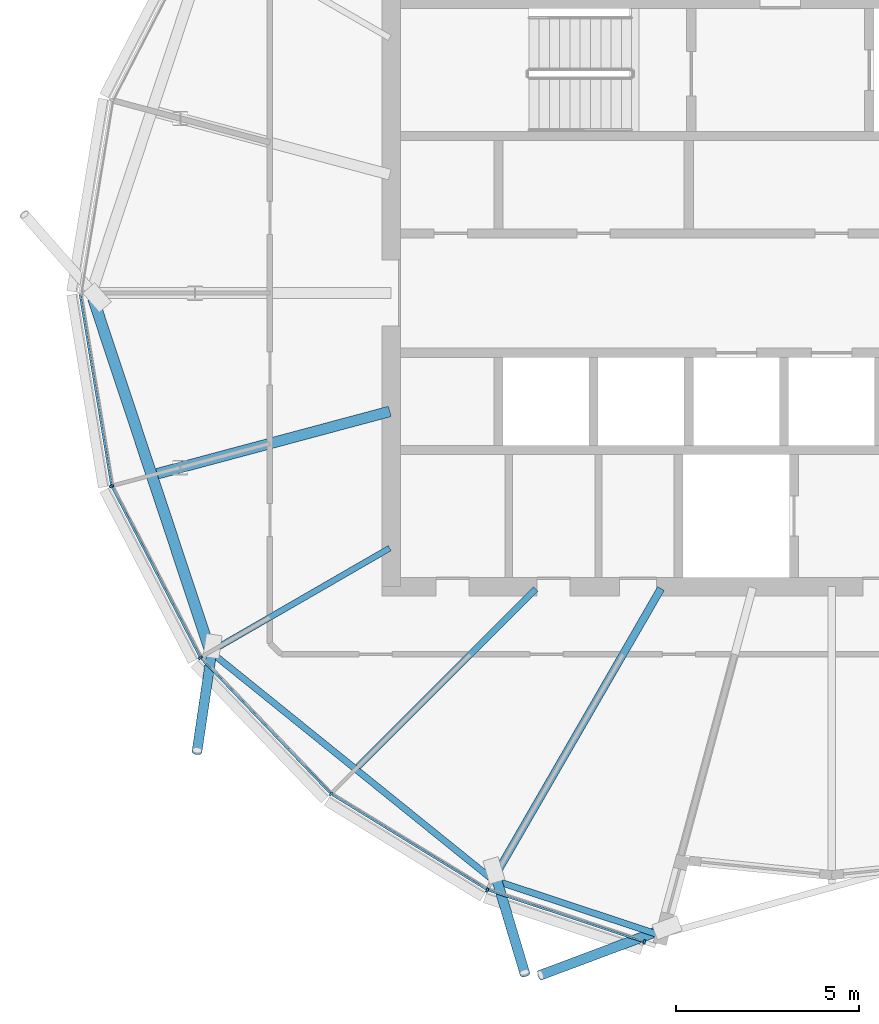
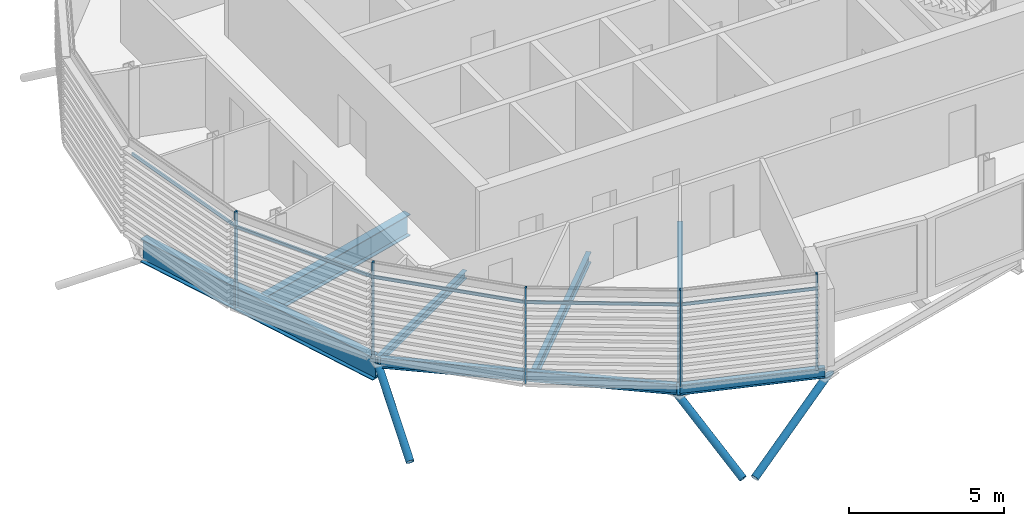
# One storey, part 3 of 33: 13 members, 7 beams, 1 element without a shape of its own.
"""IFC4 building model written with IfcOpenShell, lengths in metres."""

from ifc_helpers import new_model, si_unit, direction, frame, origin, origin_2d, place, context, subcontext, project, spatial, rectangle, hollow_circle, i_section, extrude, clip, halfspace, material, material_profile, profile_set, type_object, element, aggregate, save


model = new_model("IFC4")

# Units and contexts
model_context = context("Model", 3, precision=1e-05, world=origin(), true_north=direction((0.0, 1.0)))
body_context = subcontext(model_context, "Body", "Model", "MODEL_VIEW")
ifc_project = project(units=[si_unit("LENGTHUNIT", "METRE"), si_unit("AREAUNIT", "SQUARE_METRE"), si_unit("VOLUMEUNIT", "CUBIC_METRE"), si_unit("PLANEANGLEUNIT", "RADIAN"), si_unit("MASSUNIT", "GRAM", prefix="KILO")], contexts=[model_context])

# Site, building, storey
site_placement = place(None, origin())
site = spatial("IfcSite", under=ifc_project, at=site_placement, CompositionType="ELEMENT")
building_placement = place(site_placement, origin())
building = spatial("IfcBuilding", under=site, at=building_placement, Name="Rimbun Link Towers", CompositionType="ELEMENT")
storey_placement = place(building_placement, frame((0.0, 0.0, 240.89990234375)))
storey = spatial("IfcBuildingStorey", under=building, at=storey_placement, Name="L59", CompositionType="ELEMENT", Elevation=240.89990234375)

# Curtain wall, members
ifc_material_1 = material(Name="Aluminium 6063-T6 and low-iron glass", Category="aluminium")
curtain_wall_type = type_object("IfcCurtainWallType", Name="CW1-Z4 unitised vision wall (zone 4)", PredefinedType="NOTDEFINED", material=ifc_material_1)
curtain_wall_placement = place(storey_placement, origin())
curtain_wall = element("IfcCurtainWall", 1, at=curtain_wall_placement, inside=storey, type_object=curtain_wall_type, Name="CW1 L59 T1", PredefinedType="NOTDEFINED")
ifc_material_2 = material(Name="Aluminium 6063-T6", Category="aluminium")
ifc_material_profile_1 = material_profile(ifc_material_2, rectangle(XDim=0.1201171875, YDim=0.06005859375, at=origin_2d()), Name="MULLION 60X120")
ifc_profile_set_1 = profile_set([ifc_material_profile_1], Name="Aluminium 6063-T6")
member_type_1 = type_object("IfcMemberType", Name="CW1 mullion 60X120", PredefinedType="MULLION", material=ifc_profile_set_1)
member_1_placement = place(storey_placement, frame((-51.3701171875, -5.260986328125, 0.0), z_axis=(0.0, 0.0, 1.0), x_axis=(-0.949161339918, -0.314790010651, 0.0)))
member_1 = element("IfcMember", 2, at=member_1_placement, type_object=member_type_1, Name="CW1 mullion", PredefinedType="MULLION", context=body_context, shape_type="SweptSolid", body=[
    extrude(rectangle(XDim=0.1201171875, YDim=0.06005859375, at=origin_2d()), origin(), (0.0, 0.0, 1.0), 3.800048828125),
])
member_2_placement = place(storey_placement, frame((-48.950439453125, -9.9375, 0.0), z_axis=(0.0, 0.0, 1.0), x_axis=(-0.813347930398, -0.581777572717, 0.0)))
member_2 = element("IfcMember", 3, at=member_2_placement, type_object=member_type_1, Name="CW1 mullion", PredefinedType="MULLION", context=body_context, shape_type="SweptSolid", body=[
    extrude(rectangle(XDim=0.1201171875, YDim=0.06005859375, at=origin_2d()), origin(), (0.0, 0.0, 1.0), 3.800048828125),
])
member_3_placement = place(storey_placement, frame((-45.39111328125, -13.650146484375, 0.0), z_axis=(0.0, 0.0, 1.0), x_axis=(-0.627668219007, -0.778480961134, 0.0)))
member_3 = element("IfcMember", 4, at=member_3_placement, type_object=member_type_1, Name="CW1 mullion", PredefinedType="MULLION", context=body_context, shape_type="SweptSolid", body=[
    extrude(rectangle(XDim=0.1201171875, YDim=0.06005859375, at=origin_2d()), origin(), (0.0, 0.0, 1.0), 3.800048828125),
])
member_4_placement = place(storey_placement, frame((-41.134033203125, -16.26416015625, 0.0), z_axis=(0.0, 0.0, 1.0), x_axis=(-0.421706445948, -0.90673241557, 0.0)))
member_4 = element("IfcMember", 5, at=member_4_placement, type_object=member_type_1, Name="CW1 mullion", PredefinedType="MULLION", context=body_context, shape_type="SweptSolid", body=[
    extrude(rectangle(XDim=0.1201171875, YDim=0.06005859375, at=origin_2d()), origin(), (0.0, 0.0, 1.0), 3.800048828125),
])
member_5_placement = place(storey_placement, frame((-36.853515625, -17.68310546875, 0.0), z_axis=(0.0, 0.0, 1.0), x_axis=(-0.314570456722, -0.949234126945, 0.0)))
member_5 = element("IfcMember", 6, at=member_5_placement, type_object=member_type_1, Name="CW1 mullion", PredefinedType="MULLION", context=body_context, shape_type="SweptSolid", body=[
    extrude(rectangle(XDim=0.1201171875, YDim=0.06005859375, at=origin_2d()), origin(), (0.0, 0.0, 1.0), 3.800048828125),
])
ifc_material_3 = material(Name="Aluminium 6063-T6", Category="aluminium")
ifc_material_profile_2 = material_profile(ifc_material_3, rectangle(XDim=0.06005859375, YDim=0.1201171875, at=origin_2d()), Name="TRANSOM 60X120")
ifc_profile_set_2 = profile_set([ifc_material_profile_2], Name="Aluminium 6063-T6")
member_type_2 = type_object("IfcMemberType", Name="CW1 transom 60X120", PredefinedType="USERDEFINED", material=ifc_profile_set_2)
member_6_placement = place(storey_placement, frame((-51.375244140625, -5.221923828125, 3.2001953125), z_axis=(-0.162265497576, 0.986747134932, 0.0), x_axis=(-0.986747134932, -0.162265497576, 0.0)))
member_6 = element("IfcMember", 7, at=member_6_placement, type_object=member_type_2, Name="CW1 transom", ObjectType="TRANSOM", PredefinedType="USERDEFINED", context=body_context, shape_type="SweptSolid", body=[
    extrude(rectangle(XDim=0.06005859375, YDim=0.1201171875, at=origin_2d()), origin(), (0.0, 0.0, 1.0), 5.25244140625),
])
member_7_placement = place(storey_placement, frame((-48.967041015625, -9.902587890625, 3.2001953125), z_axis=(-0.459539428675, 0.888157369779, 0.0), x_axis=(-0.888157369779, -0.459539428675, 0.0)))
member_7 = element("IfcMember", 8, at=member_7_placement, type_object=member_type_2, Name="CW1 transom", ObjectType="TRANSOM", PredefinedType="USERDEFINED", context=body_context, shape_type="SweptSolid", body=[
    extrude(rectangle(XDim=0.06005859375, YDim=0.1201171875, at=origin_2d()), origin(), (0.0, 0.0, 1.0), 5.187255859375),
])
member_8_placement = place(storey_placement, frame((-45.416015625, -13.6220703125, 3.2001953125), z_axis=(-0.692062314487, 0.721837760766, 0.0), x_axis=(-0.721837760766, -0.692062314487, 0.0)))
member_8 = element("IfcMember", 9, at=member_8_placement, type_object=member_type_2, Name="CW1 transom", ObjectType="TRANSOM", PredefinedType="USERDEFINED", context=body_context, shape_type="SweptSolid", body=[
    extrude(rectangle(XDim=0.06005859375, YDim=0.1201171875, at=origin_2d()), origin(), (0.0, 0.0, 1.0), 5.067138671875),
])
member_9_placement = place(storey_placement, frame((-41.16455078125, -16.243408203125, 3.2001953125), z_axis=(-0.852213138176, 0.523194769775, 0.0), x_axis=(-0.523194769775, -0.852213138176, 0.0)))
member_9 = element("IfcMember", 10, at=member_9_placement, type_object=member_type_2, Name="CW1 transom", ObjectType="TRANSOM", PredefinedType="USERDEFINED", context=body_context, shape_type="SweptSolid", body=[
    extrude(rectangle(XDim=0.06005859375, YDim=0.1201171875, at=origin_2d()), origin(), (0.0, 0.0, 1.0), 4.921142578125),
])
member_10_placement = place(storey_placement, frame((-36.88134765625, -17.671875, 3.2001953125), z_axis=(-0.949236881734, 0.314562143869, 0.0), x_axis=(-0.314562143869, -0.949236881734, 0.0)))
member_10 = element("IfcMember", 11, at=member_10_placement, type_object=member_type_2, Name="CW1 transom", ObjectType="TRANSOM", PredefinedType="USERDEFINED", context=body_context, shape_type="SweptSolid", body=[
    extrude(rectangle(XDim=0.06005859375, YDim=0.1201171875, at=origin_2d()), origin(), (0.0, 0.0, 1.0), 4.442626953125),
])
aggregate(curtain_wall, [member_1, member_2, member_3, member_4, member_5, member_6, member_7, member_8, member_9, member_10])

# Members
ifc_material_4 = material(Name="Steel S355J2H", Category="steel")
ifc_material_profile_3 = material_profile(ifc_material_4, hollow_circle(Radius=0.136474609375, WallThickness=0.012451171875, at=origin_2d()), Name="CHS 273x12.5")
ifc_profile_set_3 = profile_set([ifc_material_profile_3], Name="Steel S355J2H")
member_type_3 = type_object("IfcMemberType", Name="Floor edge link CHS 273x12.5", PredefinedType="BRACE", material=ifc_profile_set_3)
member_11_placement = place(storey_placement, frame((-48.635498046875, -9.748779296875, -0.5546875), z_axis=(-0.11964266926, -0.806997322098, -0.578308701144), x_axis=(0.989187906656, -0.146653623638, 0.0)))
element("IfcMember", 12, at=member_11_placement, inside=storey, type_object=member_type_3, Name="Floor edge link T1 L59 14", PredefinedType="BRACE", context=body_context, shape_type="Clipping", body=[
    clip(extrude(hollow_circle(Radius=0.136474609375, WallThickness=0.012451171875, at=origin_2d()), frame((0.0, 0.0, -0.40234375)), (0.0, 0.0, 1.0), 3.812255859375), halfspace(frame((0.0, 0.0, -0.189208984375), z_axis=(0.0, 0.815818022712, -0.578308701144)), False)),
])
member_12_placement = place(storey_placement, frame((-40.91015625, -15.865966796875, -0.78662109375), z_axis=(0.239026715704, -0.797964756522, -0.553279745272), x_axis=(0.957946045042, 0.286948383492, 0.0)))
element("IfcMember", 13, at=member_12_placement, inside=storey, type_object=member_type_3, Name="Floor edge link T1 L59 16", PredefinedType="BRACE", context=body_context, shape_type="Clipping", body=[
    clip(extrude(hollow_circle(Radius=0.136474609375, WallThickness=0.012451171875, at=origin_2d()), frame((0.0, 0.0, -0.42919921875)), (0.0, 0.0, 1.0), 3.794677734375), halfspace(frame((0.0, 0.0, -0.20166015625), z_axis=(0.0, 0.832995512276, -0.553279745272)), False)),
])
member_13_placement = place(storey_placement, frame((-36.400634765625, -17.3564453125, -0.792724609375), z_axis=(-0.81846821488, -0.306523299111, -0.485956014814), x_axis=(0.350719871364, -0.936480417217, 0.0)))
element("IfcMember", 14, at=member_13_placement, inside=storey, type_object=member_type_3, Name="Floor edge link T1 L59 17", PredefinedType="BRACE", context=body_context, shape_type="Clipping", body=[
    clip(extrude(hollow_circle(Radius=0.136474609375, WallThickness=0.012451171875, at=origin_2d()), frame((0.0, 0.0, -0.51171875)), (0.0, 0.0, 1.0), 4.5322265625), halfspace(frame((0.0, 0.0, -0.2421875), z_axis=(0.0, 0.873983267383, -0.485956014814)), False)),
])

# Beams
ifc_material_5 = material(Name="Steel S355J2", Category="steel")
ifc_material_profile_4 = material_profile(ifc_material_5, i_section(OverallWidth=0.1650390625, OverallDepth=0.303466796875, WebThickness=0.006103515625, FlangeThickness=0.01025390625, at=origin_2d()), Name="UB 305x165x40")
ifc_profile_set_4 = profile_set([ifc_material_profile_4], Name="Steel S355J2")
beam_type_1 = type_object("IfcBeamType", Name="UB 305x165x40", PredefinedType="BEAM", material=ifc_profile_set_4)
beam_1_placement = place(storey_placement, frame((-43.7919921875, -6.952392578125, -0.29150390625), z_axis=(-0.866029956157, -0.499992114976, 0.0), x_axis=(0.499992114976, -0.866029956157, 0.0)))
element("IfcBeam", 15, at=beam_1_placement, inside=storey, type_object=beam_type_1, Name="Radial beam T1 L59 14", PredefinedType="BEAM", context=body_context, shape_type="SweptSolid", body=[
    extrude(i_section(OverallWidth=0.1650390625, OverallDepth=0.303466796875, WebThickness=0.006103515625, FlangeThickness=0.01025390625, at=origin_2d()), origin(), (0.0, 0.0, 1.0), 5.642578125),
])
ifc_material_6 = material(Name="Steel S355J2", Category="steel")
ifc_material_profile_5 = material_profile(ifc_material_6, i_section(OverallWidth=0.177978515625, OverallDepth=0.406494140625, WebThickness=0.0078125, FlangeThickness=0.0126953125, at=origin_2d()), Name="UB 406x178x60")
ifc_profile_set_5 = profile_set([ifc_material_profile_5], Name="Steel S355J2")
beam_type_2 = type_object("IfcBeamType", Name="UB 406x178x60", PredefinedType="BEAM", material=ifc_profile_set_5)
beam_2_placement = place(storey_placement, frame((-39.813720703125, -8.063720703125, -0.343017578125), z_axis=(-0.707106781187, -0.707106781187, 0.0), x_axis=(0.707106781187, -0.707106781187, 0.0)))
element("IfcBeam", 16, at=beam_2_placement, inside=storey, type_object=beam_type_2, Name="Radial beam T1 L59 15", PredefinedType="BEAM", context=body_context, shape_type="SweptSolid", body=[
    extrude(i_section(OverallWidth=0.177978515625, OverallDepth=0.406494140625, WebThickness=0.0078125, FlangeThickness=0.0126953125, at=origin_2d()), origin(), (0.0, 0.0, 1.0), 6.84814453125),
])
beam_3_placement = place(storey_placement, frame((-48.609130859375, -9.830078125, -0.343017578125), z_axis=(0.778075590963, -0.628170657343, 0.0), x_axis=(0.628170657343, 0.778075590963, 0.0)))
element("IfcBeam", 17, at=beam_3_placement, inside=storey, type_object=beam_type_2, Name="Edge beam T1 L59 14-16", PredefinedType="BEAM", context=body_context, shape_type="SweptSolid", body=[
    extrude(i_section(OverallWidth=0.177978515625, OverallDepth=0.406494140625, WebThickness=0.0078125, FlangeThickness=0.0126953125, at=origin_2d()), origin(), (0.0, 0.0, 1.0), 9.697021484375),
])
beam_4_placement = place(storey_placement, frame((-40.97998046875, -15.989013671875, -0.343017578125), z_axis=(0.949405466218, -0.314052958456, 0.0), x_axis=(0.314052958456, 0.949405466218, 0.0)))
element("IfcBeam", 18, at=beam_4_placement, inside=storey, type_object=beam_type_2, Name="Edge beam T1 L59 16", PredefinedType="BEAM", context=body_context, shape_type="SweptSolid", body=[
    extrude(i_section(OverallWidth=0.177978515625, OverallDepth=0.406494140625, WebThickness=0.0078125, FlangeThickness=0.0126953125, at=origin_2d()), origin(), (0.0, 0.0, 1.0), 4.783935546875),
])
ifc_material_7 = material(Name="Steel S355J2", Category="steel")
ifc_material_profile_6 = material_profile(ifc_material_7, i_section(OverallWidth=0.209228515625, OverallDepth=0.533203125, WebThickness=0.010009765625, FlangeThickness=0.015625, at=origin_2d()), Name="UB 533x210x92")
ifc_profile_set_6 = profile_set([ifc_material_profile_6], Name="Steel S355J2")
beam_type_3 = type_object("IfcBeamType", Name="UB 533x210x92", PredefinedType="BEAM", material=ifc_profile_set_6)
beam_5_placement = place(storey_placement, frame((-36.3994140625, -8.05322265625, -0.406494140625), z_axis=(-0.500020649791, -0.866013481294, 0.0), x_axis=(0.866013481294, -0.500020649791, 0.0)))
element("IfcBeam", 19, at=beam_5_placement, inside=storey, type_object=beam_type_3, Name="Radial beam T1 L59 16", PredefinedType="BEAM", context=body_context, shape_type="SweptSolid", body=[
    extrude(i_section(OverallWidth=0.209228515625, OverallDepth=0.533203125, WebThickness=0.010009765625, FlangeThickness=0.015625, at=origin_2d()), origin(), (0.0, 0.0, 1.0), 9.0712890625),
])
ifc_material_8 = material(Name="Steel S355J2", Category="steel")
ifc_material_profile_7 = material_profile(ifc_material_8, i_section(OverallWidth=0.29248046875, OverallDepth=0.8408203125, WebThickness=0.0126953125, FlangeThickness=0.021728515625, at=origin_2d()), Name="UB 838x292x194")
ifc_profile_set_7 = profile_set([ifc_material_profile_7], Name="Steel S355J2")
beam_type_4 = type_object("IfcBeamType", Name="UB 838x292x194", PredefinedType="BEAM", material=ifc_profile_set_7)
beam_6_placement = place(storey_placement, frame((-43.788818359375, -3.225830078125, -0.560302734375), z_axis=(-0.965929781148, -0.258804284917, 0.0), x_axis=(0.258804284917, -0.965929781148, 0.0)))
element("IfcBeam", 20, at=beam_6_placement, inside=storey, type_object=beam_type_4, Name="Radial beam T1 L59 13", PredefinedType="BEAM", context=body_context, shape_type="SweptSolid", body=[
    extrude(i_section(OverallWidth=0.29248046875, OverallDepth=0.8408203125, WebThickness=0.0126953125, FlangeThickness=0.021728515625, at=origin_2d()), origin(), (0.0, 0.0, 1.0), 6.56103515625),
])
ifc_material_9 = material(Name="Steel S355J2", Category="steel")
ifc_material_profile_8 = material_profile(ifc_material_9, i_section(OverallWidth=0.305419921875, OverallDepth=0.91845703125, WebThickness=0.017333984375, FlangeThickness=0.02783203125, at=origin_2d()), Name="UB 914x305x253")
ifc_profile_set_8 = profile_set([ifc_material_profile_8], Name="Steel S355J2")
beam_type_5 = type_object("IfcBeamType", Name="UB 914x305x253", PredefinedType="BEAM", material=ifc_profile_set_8)
beam_7_placement = place(storey_placement, frame((-51.873046875, -0.147216796875, -0.59912109375), z_axis=(0.314931237743, -0.949114490193, 0.0), x_axis=(0.949114490193, 0.314931237743, 0.0)))
element("IfcBeam", 21, at=beam_7_placement, inside=storey, type_object=beam_type_5, Name="Edge beam T1 L59 12-14", PredefinedType="BEAM", context=body_context, shape_type="SweptSolid", body=[
    extrude(i_section(OverallWidth=0.305419921875, OverallDepth=0.91845703125, WebThickness=0.017333984375, FlangeThickness=0.02783203125, at=origin_2d()), origin(), (0.0, 0.0, 1.0), 10.0576171875),
])

save(model, "model.ifc")
